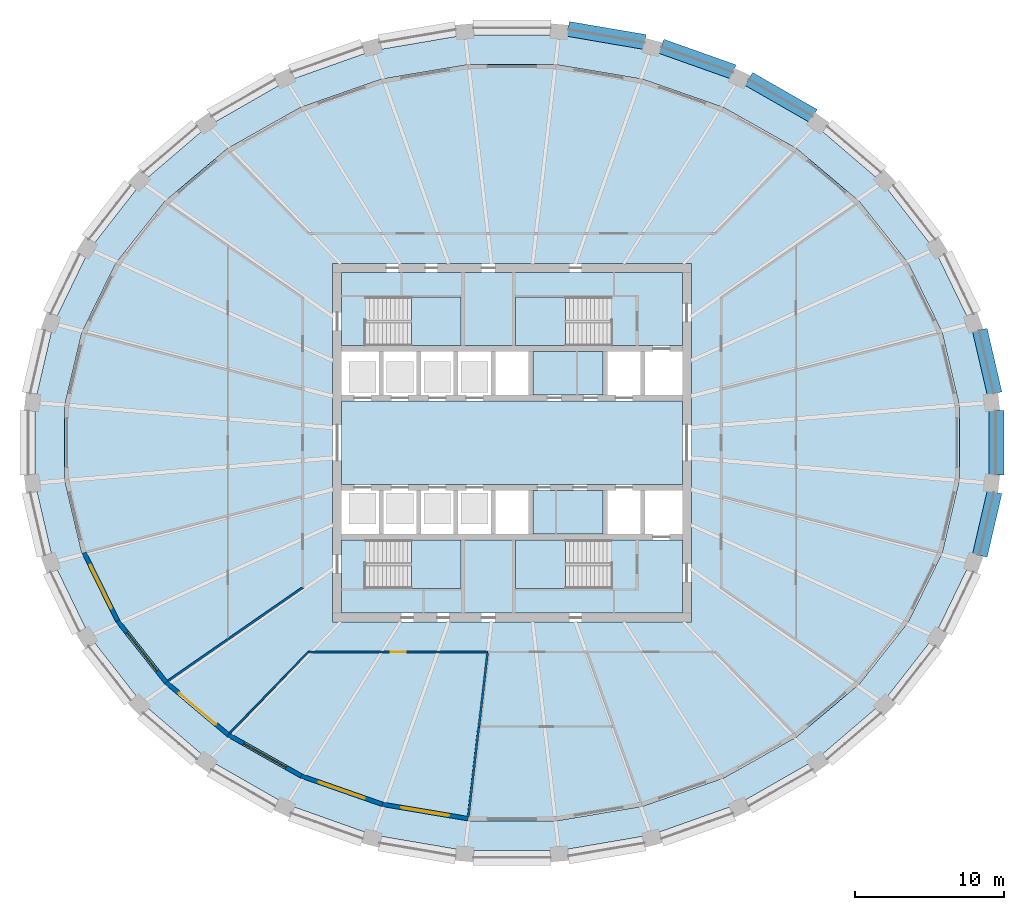
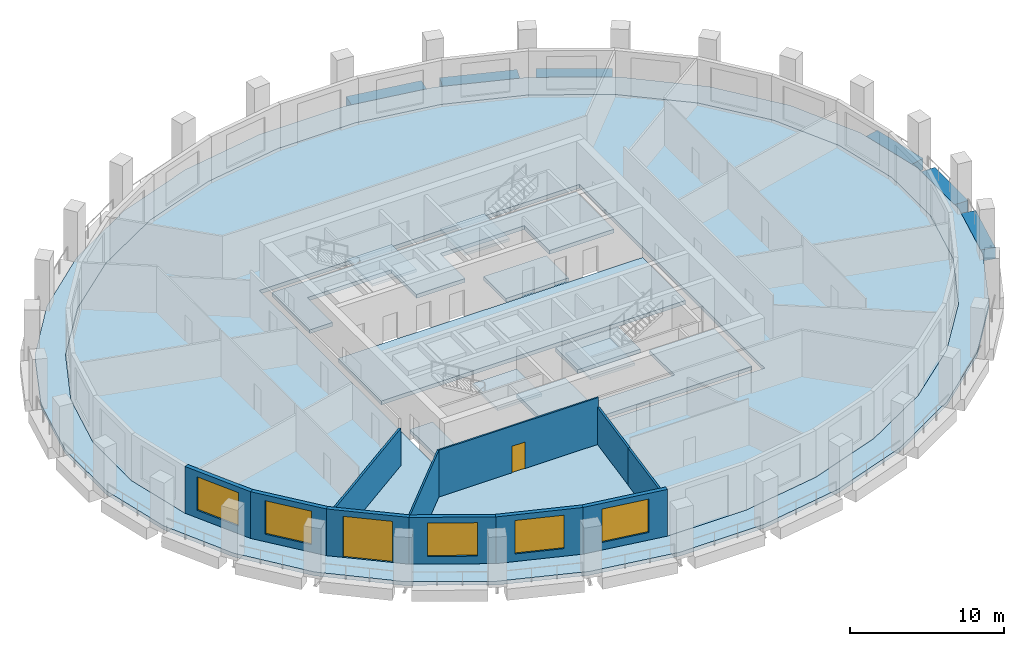
# One storey, part 2 of 10: 11 slabs, 11 walls, 6 beams, 5 windows, 2 doors, 7 openings, 4 elements without a shape of their own.
"""IFC4 building model written with IfcOpenShell, lengths in metres."""

from ifc_helpers import new_model, si_unit, direction, frame, frame_2d, origin, origin_2d, place, context, subcontext, project, spatial, polyline, rectangle, outline, extrude, material, layer, layer_set, material_profile, profile_set, type_object, element, fill, aggregate, save


model = new_model("IFC4")

# Units and contexts
model_context = context("Model", 3, precision=1e-05, world=origin(), true_north=direction((0.0, 1.0)))
body_context = subcontext(model_context, "Body", "Model", "MODEL_VIEW")
ifc_project = project(units=[si_unit("LENGTHUNIT", "METRE"), si_unit("AREAUNIT", "SQUARE_METRE"), si_unit("VOLUMEUNIT", "CUBIC_METRE"), si_unit("PLANEANGLEUNIT", "RADIAN"), si_unit("MASSUNIT", "GRAM", prefix="KILO")], contexts=[model_context])

# Site, building, storey
site_placement = place(None, origin())
site = spatial("IfcSite", under=ifc_project, at=site_placement, CompositionType="ELEMENT")
building_placement = place(site_placement, origin())
building = spatial("IfcBuilding", under=site, at=building_placement, Name="Halqa Exchange Tower", CompositionType="ELEMENT")
storey_placement = place(building_placement, frame((0.0, 0.0, 198.89990234375)))
storey = spatial("IfcBuildingStorey", under=building, at=storey_placement, Name="L45", CompositionType="ELEMENT", Elevation=198.89990234375)

# Beams
ifc_material_1 = material(Name="Concrete C60/75", Category="concrete")
ifc_material_profile = material_profile(ifc_material_1, rectangle(XDim=1.0, YDim=0.89990234375, at=origin_2d()), Name="1000 x 900")
ifc_profile_set = profile_set([ifc_material_profile], Name="Concrete C60/75")
beam_type = type_object("IfcBeamType", Name="RC spandrel beam 1000 x 900 C60/75", PredefinedType="SPANDREL", material=ifc_profile_set)
beam_1_placement = place(storey_placement, frame((32.291748046875, 3.298583984375, -0.449951171875), z_axis=(-0.226069928804, 0.974111075438, 0.0), x_axis=(-0.974111075438, -0.226069928804, 0.0)))
element("IfcBeam", 1, at=beam_1_placement, inside=storey, type_object=beam_type, Name="Spandrel 1", PredefinedType="SPANDREL", context=body_context, shape_type="SweptSolid", body=[
    extrude(rectangle(XDim=1.0, YDim=0.89990234375, at=origin_2d()), origin(), (0.0, 0.0, 1.0), 4.359619140625),
])
beam_2_placement = place(storey_placement, frame((20.16845703125, 21.872314453125, -0.449951171875), z_axis=(-0.867771135112, 0.496964040013, 0.0), x_axis=(-0.496964040013, -0.867771135112, 0.0)))
element("IfcBeam", 2, at=beam_2_placement, inside=storey, type_object=beam_type, Name="Spandrel 5", PredefinedType="SPANDREL", context=body_context, shape_type="SweptSolid", body=[
    extrude(rectangle(XDim=1.0, YDim=0.89990234375, at=origin_2d()), origin(), (0.0, 0.0, 1.0), 4.9697265625),
])
beam_3_placement = place(storey_placement, frame((14.817138671875, 24.8193359375, -0.449951171875), z_axis=(-0.942368993824, 0.334575371895, 0.0), x_axis=(-0.334575371895, -0.942368993824, 0.0)))
element("IfcBeam", 3, at=beam_3_placement, inside=storey, type_object=beam_type, Name="Spandrel 6", PredefinedType="SPANDREL", context=body_context, shape_type="SweptSolid", body=[
    extrude(rectangle(XDim=1.0, YDim=0.89990234375, at=origin_2d()), origin(), (0.0, 0.0, 1.0), 5.113037109375),
])
beam_4_placement = place(storey_placement, frame((8.891357421875, 26.81884765625, -0.449951171875), z_axis=(-0.98577756744, 0.168055310931, 0.0), x_axis=(-0.168055310931, -0.98577756744, 0.0)))
element("IfcBeam", 4, at=beam_4_placement, inside=storey, type_object=beam_type, Name="Spandrel 7", PredefinedType="SPANDREL", context=body_context, shape_type="SweptSolid", body=[
    extrude(rectangle(XDim=1.0, YDim=0.89990234375, at=origin_2d()), origin(), (0.0, 0.0, 1.0), 5.20654296875),
])
beam_5_placement = place(storey_placement, frame((31.30615234375, -7.54541015625, -0.449951171875), z_axis=(0.226069928804, 0.974111075438, 0.0), x_axis=(-0.974111075438, 0.226069928804, 0.0)))
element("IfcBeam", 5, at=beam_5_placement, inside=storey, type_object=beam_type, Name="Spandrel 31", PredefinedType="SPANDREL", context=body_context, shape_type="SweptSolid", body=[
    extrude(rectangle(XDim=1.0, YDim=0.89990234375, at=origin_2d()), origin(), (0.0, 0.0, 1.0), 4.359619140625),
])
beam_6_placement = place(storey_placement, frame((32.422119140625, -2.160400390625, -0.449951171875), z_axis=(0.0, 1.0, 0.0), x_axis=(-1.0, 0.0, 0.0)))
element("IfcBeam", 6, at=beam_6_placement, inside=storey, type_object=beam_type, Name="Spandrel 32", PredefinedType="SPANDREL", context=body_context, shape_type="SweptSolid", body=[
    extrude(rectangle(XDim=1.0, YDim=0.89990234375, at=origin_2d()), origin(), (0.0, 0.0, 1.0), 4.32080078125),
])

# Slabs
ifc_layer_1 = layer(ifc_material_1, 0.300048828125)
ifc_layer_set_1 = layer_set([ifc_layer_1], Name="Concrete C60/75")
slab_type_1 = type_object("IfcSlabType", Name="Core floor slab 300", PredefinedType="FLOOR", material=ifc_layer_set_1)
slab_1_placement = place(storey_placement, frame((0.0, 0.0, -0.2998046875)))
element("IfcSlab", 7, at=slab_1_placement, inside=storey, type_object=slab_type_1, Name="Core floor slab", PredefinedType="FLOOR", context=body_context, shape_type="SweptSolid", body=[
    extrude(outline(polyline([(-11.39990234375, 2.800048828125), (11.39990234375, 2.800048828125), (11.39990234375, -2.800048828125), (-11.39990234375, -2.800048828125), (-11.39990234375, 2.800048828125)])), origin(), (0.0, 0.0, 1.0), 0.2998046875),
])
slab_2_placement = place(storey_placement, frame((0.0, 0.0, -0.2998046875)))
element("IfcSlab", 8, at=slab_2_placement, inside=storey, type_object=slab_type_1, Name="Core floor slab", PredefinedType="FLOOR", context=body_context, shape_type="SweptSolid", body=[
    extrude(outline(polyline([(-11.39990234375, 11.39990234375), (11.39990234375, 11.39990234375), (11.39990234375, 6.5), (6.550048828125, 6.5), (6.550048828125, 9.75), (0.25, 9.75), (0.25, 6.5), (-3.39990234375, 6.5), (-3.39990234375, 9.75), (-9.699951171875, 9.75), (-9.699951171875, 6.5), (-11.39990234375, 6.5), (-11.39990234375, 11.39990234375)])), origin(), (0.0, 0.0, 1.0), 0.2998046875),
])
slab_3_placement = place(storey_placement, frame((0.0, 0.0, -0.2998046875)))
element("IfcSlab", 9, at=slab_3_placement, inside=storey, type_object=slab_type_1, Name="Core floor slab", PredefinedType="FLOOR", context=body_context, shape_type="SweptSolid", body=[
    extrude(outline(polyline([(-9.699951171875, -9.75), (-3.39990234375, -9.75), (-3.39990234375, -6.5), (0.25, -6.5), (0.25, -9.75), (6.550048828125, -9.75), (6.550048828125, -6.5), (11.39990234375, -6.5), (11.39990234375, -11.39990234375), (-11.39990234375, -11.39990234375), (-11.39990234375, -6.5), (-9.699951171875, -6.5), (-9.699951171875, -9.75)])), origin(), (0.0, 0.0, 1.0), 0.2998046875),
])
slab_4_placement = place(storey_placement, frame((0.0, 0.0, -0.2998046875)))
element("IfcSlab", 10, at=slab_4_placement, inside=storey, type_object=slab_type_1, Name="Core floor slab", PredefinedType="FLOOR", context=body_context, shape_type="SweptSolid", body=[
    extrude(outline(polyline([(6.10009765625, -3.199951171875), (6.10009765625, -6.10009765625), (1.39990234375, -6.10009765625), (1.39990234375, -3.199951171875), (6.10009765625, -3.199951171875)])), origin(), (0.0, 0.0, 1.0), 0.2998046875),
])
slab_5_placement = place(storey_placement, frame((0.0, 0.0, -0.2998046875)))
element("IfcSlab", 11, at=slab_5_placement, inside=storey, type_object=slab_type_1, Name="Core floor slab", PredefinedType="FLOOR", context=body_context, shape_type="SweptSolid", body=[
    extrude(outline(polyline([(6.10009765625, 6.10009765625), (6.10009765625, 3.199951171875), (1.39990234375, 3.199951171875), (1.39990234375, 6.10009765625), (6.10009765625, 6.10009765625)])), origin(), (0.0, 0.0, 1.0), 0.2998046875),
])
ifc_material_2 = material(Name="Concrete C40/50", Category="concrete")
ifc_layer_2 = layer(ifc_material_2, 0.300048828125)
ifc_layer_set_2 = layer_set([ifc_layer_2], Name="Concrete C40/50")
slab_type_2 = type_object("IfcSlabType", Name="RC floor slab 300", PredefinedType="FLOOR", material=ifc_layer_set_2)
slab_6_placement = place(storey_placement, frame((0.0, 0.0, -0.2998046875)))
element("IfcSlab", 12, at=slab_6_placement, inside=storey, type_object=slab_type_2, Name="Floor slab", PredefinedType="FLOOR", context=body_context, shape_type="SweptSolid", body=[
    extrude(outline(polyline([(29.935546875, 2.49755859375), (28.78076171875, 7.39501953125), (26.517578125, 12.0048828125), (23.23583984375, 16.14892578125), (19.0634765625, 19.669189453125), (14.161865234375, 22.4326171875), (8.71923828125, 24.33447265625), (2.94384765625, 25.3037109375), (-2.94384765625, 25.3037109375), (-8.71923828125, 24.33447265625), (-14.161865234375, 22.4326171875), (-19.0634765625, 19.669189453125), (-23.23583984375, 16.14892578125), (-26.517578125, 12.0048828125), (-28.78076171875, 7.39501953125), (-29.935546875, 2.49755859375), (-29.935546875, -2.49755859375), (-28.78076171875, -7.39501953125), (-26.517578125, -12.0048828125), (-23.23583984375, -16.14892578125), (-19.0634765625, -19.669189453125), (-14.161865234375, -22.4326171875), (-8.71923828125, -24.33447265625), (-2.94384765625, -25.3037109375), (2.94384765625, -25.3037109375), (8.71923828125, -24.33447265625), (14.161865234375, -22.4326171875), (19.0634765625, -19.669189453125), (23.23583984375, -16.14892578125), (26.517578125, -12.0048828125), (28.78076171875, -7.39501953125), (29.935546875, -2.49755859375), (29.935546875, 2.49755859375)]), holes=[polyline([(-12.0, -12.0), (12.0, -12.0), (12.0, 12.0), (-12.0, 12.0), (-12.0, -12.0)])]), origin(), (0.0, 0.0, 1.0), 0.2998046875),
])
ifc_layer_3 = layer(ifc_material_2, 0.300048828125)
ifc_layer_set_3 = layer_set([ifc_layer_3], Name="Concrete C40/50")
slab_type_3 = type_object("IfcSlabType", Name="RC loggia slab 300", PredefinedType="FLOOR", material=ifc_layer_set_3)
slab_7_placement = place(storey_placement, frame((0.0, 0.0, -0.2998046875)))
element("IfcSlab", 13, at=slab_7_placement, inside=storey, type_object=slab_type_3, Name="Loggia slab", PredefinedType="FLOOR", context=body_context, shape_type="SweptSolid", body=[
    extrude(outline(polyline([(31.922119140625, 2.6796875), (31.922119140625, -2.6796875), (30.70166015625, -7.938720703125), (28.304931640625, -12.898193359375), (24.8203125, -17.368408203125), (20.37841796875, -21.17578125), (15.14794921875, -24.17138671875), (9.33056640625, -26.23681640625), (3.15087890625, -27.290283203125), (-3.15087890625, -27.290283203125), (-9.33056640625, -26.23681640625), (-15.14794921875, -24.17138671875), (-20.37841796875, -21.17578125), (-24.8203125, -17.368408203125), (-28.304931640625, -12.898193359375), (-30.70166015625, -7.938720703125), (-31.922119140625, -2.6796875), (-31.922119140625, 2.6796875), (-30.70166015625, 7.938720703125), (-28.304931640625, 12.898193359375), (-24.8203125, 17.368408203125), (-20.37841796875, 21.17578125), (-15.14794921875, 24.17138671875), (-9.33056640625, 26.23681640625), (-3.15087890625, 27.290283203125), (3.15087890625, 27.290283203125), (9.33056640625, 26.23681640625), (15.14794921875, 24.17138671875), (20.37841796875, 21.17578125), (24.8203125, 17.368408203125), (28.304931640625, 12.898193359375), (30.70166015625, 7.938720703125), (31.922119140625, 2.6796875)]), holes=[polyline([(29.935546875, 2.49755859375), (28.78076171875, 7.39501953125), (26.517578125, 12.0048828125), (23.23583984375, 16.14892578125), (19.0634765625, 19.669189453125), (14.161865234375, 22.4326171875), (8.71923828125, 24.33447265625), (2.94384765625, 25.3037109375), (-2.94384765625, 25.3037109375), (-8.71923828125, 24.33447265625), (-14.161865234375, 22.4326171875), (-19.0634765625, 19.669189453125), (-23.23583984375, 16.14892578125), (-26.517578125, 12.0048828125), (-28.78076171875, 7.39501953125), (-29.935546875, 2.49755859375), (-29.935546875, -2.49755859375), (-28.78076171875, -7.39501953125), (-26.517578125, -12.0048828125), (-23.23583984375, -16.14892578125), (-19.0634765625, -19.669189453125), (-14.161865234375, -22.4326171875), (-8.71923828125, -24.33447265625), (-2.94384765625, -25.3037109375), (2.94384765625, -25.3037109375), (8.71923828125, -24.33447265625), (14.161865234375, -22.4326171875), (19.0634765625, -19.669189453125), (23.23583984375, -16.14892578125), (26.517578125, -12.0048828125), (28.78076171875, -7.39501953125), (29.935546875, -2.49755859375), (29.935546875, 2.49755859375)])]), origin(), (0.0, 0.0, 1.0), 0.2998046875),
])

# Stair, slab
ifc_material_3 = material(Name="Concrete C30/37", Category="concrete")
stair_type = type_object("IfcStairType", Name="Exit stair 1500 wide", PredefinedType="HALF_TURN_STAIR", material=ifc_material_3)
stair_1_placement = place(storey_placement, origin())
stair_1 = element("IfcStair", 14, at=stair_1_placement, inside=storey, type_object=stair_type, Name="Exit stair ST1", PredefinedType="HALF_TURN_STAIR")
ifc_layer_4 = layer(ifc_material_3, 0.199951171875)
ifc_layer_set_4 = layer_set([ifc_layer_4], Name="Concrete C30/37")
slab_type_4 = type_object("IfcSlabType", Name="Stair landing 200 slab", PredefinedType="LANDING", material=ifc_layer_set_4)
slab_8_placement = place(storey_placement, frame((0.0, 0.0, 1.800048828125)))
slab_8 = element("IfcSlab", 15, at=slab_8_placement, type_object=slab_type_4, Name="ST1 landing 1", PredefinedType="LANDING", context=body_context, shape_type="SweptSolid", body=[
    extrude(outline(polyline([(-6.719970703125, 6.5), (-3.39990234375, 6.5), (-3.39990234375, 9.75), (-6.719970703125, 9.75), (-6.719970703125, 6.5)])), origin(), (0.0, 0.0, 1.0), 0.199951171875),
])
aggregate(stair_1, [slab_8])

stair_2_placement = place(storey_placement, origin())
stair_2 = element("IfcStair", 16, at=stair_2_placement, inside=storey, type_object=stair_type, Name="Exit stair ST2", PredefinedType="HALF_TURN_STAIR")
slab_9_placement = place(storey_placement, frame((0.0, 0.0, 1.800048828125)))
slab_9 = element("IfcSlab", 17, at=slab_9_placement, type_object=slab_type_4, Name="ST2 landing 1", PredefinedType="LANDING", context=body_context, shape_type="SweptSolid", body=[
    extrude(outline(polyline([(0.25, 6.5), (3.570068359375, 6.5), (3.570068359375, 9.75), (0.25, 9.75), (0.25, 6.5)])), origin(), (0.0, 0.0, 1.0), 0.199951171875),
])
aggregate(stair_2, [slab_9])

stair_3_placement = place(storey_placement, origin())
stair_3 = element("IfcStair", 18, at=stair_3_placement, inside=storey, type_object=stair_type, Name="Exit stair ST3", PredefinedType="HALF_TURN_STAIR")
slab_10_placement = place(storey_placement, frame((0.0, 0.0, 1.800048828125)))
slab_10 = element("IfcSlab", 19, at=slab_10_placement, type_object=slab_type_4, Name="ST3 landing 1", PredefinedType="LANDING", context=body_context, shape_type="SweptSolid", body=[
    extrude(outline(polyline([(-6.719970703125, -9.75), (-3.39990234375, -9.75), (-3.39990234375, -6.5), (-6.719970703125, -6.5), (-6.719970703125, -9.75)])), origin(), (0.0, 0.0, 1.0), 0.199951171875),
])
aggregate(stair_3, [slab_10])

stair_4_placement = place(storey_placement, origin())
stair_4 = element("IfcStair", 20, at=stair_4_placement, inside=storey, type_object=stair_type, Name="Exit stair ST4", PredefinedType="HALF_TURN_STAIR")
slab_11_placement = place(storey_placement, frame((0.0, 0.0, 1.800048828125)))
slab_11 = element("IfcSlab", 21, at=slab_11_placement, type_object=slab_type_4, Name="ST4 landing 1", PredefinedType="LANDING", context=body_context, shape_type="SweptSolid", body=[
    extrude(outline(polyline([(0.25, -9.75), (3.570068359375, -9.75), (3.570068359375, -6.5), (0.25, -6.5), (0.25, -9.75)])), origin(), (0.0, 0.0, 1.0), 0.199951171875),
])
aggregate(stair_4, [slab_11])

# Walls
ifc_material_4 = material(Name="Fire-rated gypsum board")
ifc_layer_5 = layer(ifc_material_4, 0.14990234375)
ifc_layer_set_5 = layer_set([ifc_layer_5], Name="Fire-rated gypsum board")
wall_type_1 = type_object("IfcWallType", Name="Fire partition EI 60 150", PredefinedType="PARTITIONING", material=ifc_layer_set_5)
wall_1_placement = place(storey_placement, frame((-23.0244140625, -15.939697265625, 0.0), z_axis=(0.0, 0.0, 1.0), x_axis=(0.822097241007, 0.569347105313, 0.0)))
element("IfcWall", 22, at=wall_1_placement, inside=storey, type_object=wall_type_1, Name="L45-PWL-003", PredefinedType="PARTITIONING", context=body_context, shape_type="SweptSolid", body=[
    extrude(outline(polyline([(0.024169921875, -0.074951171875), (1.856201171875, -0.074951171875), (3.688232421875, -0.074951171875), (5.520263671875, -0.074951171875), (7.352294921875, -0.074951171875), (9.184326171875, -0.074951171875), (11.016357421875, -0.074951171875), (10.977294921875, -0.000244140625), (10.937744140625, 0.074951171875), (8.961181640625, 0.074951171875), (6.984619140625, 0.074951171875), (5.008056640625, 0.074951171875), (5.006103515625, 0.072265625), (5.00244140625, 0.074951171875), (3.3349609375, 0.074951171875), (1.66748046875, 0.074951171875), (0.0, 0.074951171875), (0.0, 0.068359375), (0.004638671875, -0.002197265625), (0.024169921875, -0.074951171875)])), origin(), (0.0, 0.0, 1.0), 2.947021484375),
])
wall_2_placement = place(storey_placement, frame((-2.915283203125, -25.000244140625, 0.0), z_axis=(0.0, 0.0, 1.0), x_axis=(0.115112831027, 0.993352422926, 0.0)))
element("IfcWall", 23, at=wall_2_placement, inside=storey, type_object=wall_type_1, Name="L45-PWL-014", PredefinedType="PARTITIONING", context=body_context, shape_type="SweptSolid", body=[
    extrude(outline(polyline([(0.0, 0.074951171875), (0.0, -0.031005859375), (0.005126953125, -0.074951171875), (2.00048828125, -0.074951171875), (3.99609375, -0.074951171875), (5.991455078125, -0.074951171875), (5.991455078125, 0.074951171875), (3.994384765625, 0.074951171875), (1.9970703125, 0.074951171875), (0.0, 0.074951171875)])), origin(), (0.0, 0.0, 1.0), 2.947021484375),
])
wall_3_placement = place(storey_placement, frame((-2.2158203125, -19.0498046875, 0.0), z_axis=(0.0, 0.0, 1.0), x_axis=(0.11524289965, 0.993337341531, 0.0)))
element("IfcWall", 24, at=wall_3_placement, inside=storey, type_object=wall_type_1, Name="L45-PWL-015", PredefinedType="PARTITIONING", context=body_context, shape_type="SweptSolid", body=[
    extrude(outline(polyline([(0.0, -0.074951171875), (0.0986328125, -0.074951171875), (0.109130859375, -0.07373046875), (0.109130859375, -0.074951171875), (1.744873046875, -0.074951171875), (3.380859375, -0.074951171875), (5.0166015625, -0.074951171875), (5.0166015625, -0.07275390625), (5.00927734375, -0.008544921875), (5.0166015625, -0.0078125), (5.0166015625, 0.0576171875), (5.0146484375, 0.074951171875), (3.343017578125, 0.074951171875), (1.671630859375, 0.074951171875), (0.000244140625, 0.074951171875), (0.0, -0.065185546875), (0.0, -0.065185546875), (0.0, -0.074951171875)])), origin(), (0.0, 0.0, 1.0), 2.947021484375),
])

# Wall, opening, door
ifc_material_5 = material(Name="Fire-rated glazing", Category="glass")
ifc_layer_6 = layer(ifc_material_5, 0.1201171875)
ifc_layer_set_6 = layer_set([ifc_layer_6], Name="Fire-rated glazing")
wall_type_2 = type_object("IfcWallType", Name="Glazed fire partition EI 60 120", PredefinedType="PARTITIONING", material=ifc_layer_set_6)
wall_4_placement = place(storey_placement, frame((-13.6455078125, -14.0, 0.0), z_axis=(0.0, 0.0, 1.0), x_axis=(1.0, 0.0, 0.0)))
wall_4 = element("IfcWall", 25, at=wall_4_placement, inside=storey, type_object=wall_type_2, Name="L45-PWL-010", PredefinedType="PARTITIONING", context=body_context, shape_type="SweptSolid", body=[
    extrude(outline(polyline([(12.015625, 0.06005859375), (10.299072265625, 0.06005859375), (8.58251953125, 0.06005859375), (6.8662109375, 0.06005859375), (5.149658203125, 0.06005859375), (3.43310546875, 0.06005859375), (1.716552734375, 0.06005859375), (0.000244140625, 0.06005859375), (0.05078125, -0.06005859375), (2.044921875, -0.06005859375), (4.0390625, -0.06005859375), (6.033203125, -0.06005859375), (8.02734375, -0.06005859375), (10.021484375, -0.06005859375), (12.015625, -0.06005859375), (12.015625, 0.06005859375)])), origin(), (0.0, 0.0, 1.0), 3.7001953125),
])
opening_1_placement = place(wall_4_placement, frame((5.5205078125, 0.0, 0.0)))
opening_1 = element("IfcOpeningElement", 26, at=opening_1_placement, cuts=wall_4, Name="Opening 13-06", PredefinedType="OPENING", context=body_context, shape_type="SweptSolid", body=[
    extrude(rectangle(XDim=1.0, YDim=2.10009765625, at=frame_2d((0.5, 1.050048828125))), frame((0.0, 0.072021484375, 0.0), z_axis=(0.0, -1.0, 0.0), x_axis=(1.0, 0.0, 0.0)), (0.0, 0.0, 1.0), 0.14404296875),
])
ifc_material_6 = material(Name="Steel fire door leaf", Category="steel")
door_type_1 = type_object("IfcDoorType", Name="Fire door FD30S 1000 x 2100", OperationType="SINGLE_SWING_LEFT", PredefinedType="DOOR", material=ifc_material_6)
door_1_placement = place(opening_1_placement, frame((1.0, 0.0, 0.0), z_axis=(0.0, 0.0, 1.0), x_axis=(-1.0, 0.0, 0.0)))
door_1 = element("IfcDoor", 27, at=door_1_placement, inside=storey, type_object=door_type_1, Name="L45-IDR-006", OperationType="SINGLE_SWING_RIGHT", OverallHeight=2.10009765625, OverallWidth=1.0, PredefinedType="DOOR", context=body_context, shape_type="SweptSolid", body=[
    extrude(rectangle(XDim=1.0, YDim=2.10009765625, at=frame_2d((0.5, 1.050048828125))), frame((0.0, 0.02490234375, 0.0), z_axis=(0.0, -1.0, 0.0), x_axis=(1.0, 0.0, 0.0)), (0.0, 0.0, 1.0), 0.050048828125),
])
fill(opening_1, door_1)

# Wall
wall_5_placement = place(storey_placement, frame((-13.602294921875, -13.981689453125, 0.0), z_axis=(0.0, 0.0, 1.0), x_axis=(-0.69685470262, -0.717212328001, 0.0)))
element("IfcWall", 28, at=wall_5_placement, inside=storey, type_object=wall_type_2, Name="L45-PWL-013", PredefinedType="PARTITIONING", context=body_context, shape_type="SweptSolid", body=[
    extrude(outline(polyline([(7.59130859375, -0.06005859375), (7.59130859375, -0.05810546875), (7.58740234375, -0.002685546875), (7.57080078125, 0.06005859375), (5.69091796875, 0.06005859375), (3.810791015625, 0.06005859375), (1.930908203125, 0.06005859375), (0.05078125, 0.06005859375), (0.025390625, 0.0), (0.000244140625, -0.06005859375), (0.0, -0.06005859375), (0.0, -0.06005859375), (1.89794921875, -0.06005859375), (3.795654296875, -0.06005859375), (5.693603515625, -0.06005859375), (7.59130859375, -0.06005859375)])), origin(), (0.0, 0.0, 1.0), 3.7001953125),
])

# Wall, opening, window
ifc_material_7 = material(Name="Limestone cladding", Category="masonry")
ifc_layer_7 = layer(ifc_material_7, 0.0400390625)
ifc_material_8 = material(Name="Ventilated cavity")
ifc_layer_8 = layer(ifc_material_8, 0.030029296875, ventilated=True)
ifc_material_9 = material(Name="Mineral wool insulation")
ifc_layer_9 = layer(ifc_material_9, 0.10009765625)
ifc_layer_10 = layer(ifc_material_3, 0.10009765625)
ifc_material_10 = material(Name="Internal plaster")
ifc_layer_11 = layer(ifc_material_10, 0.030029296875)
ifc_layer_set_7 = layer_set([ifc_layer_7, ifc_layer_8, ifc_layer_9, ifc_layer_10, ifc_layer_11], Name="Stone-faced insulated wall 300")
wall_type_3 = type_object("IfcWallType", Name="Stone-faced insulated wall 300", PredefinedType="STANDARD", material=ifc_layer_set_7)
wall_6_placement = place(storey_placement, frame((-28.638671875, -7.34423828125, 0.0), z_axis=(0.0, 0.0, 1.0), x_axis=(0.440694221881, -0.897657285829, 0.0)))
wall_6 = element("IfcWall", 29, at=wall_6_placement, inside=storey, type_object=wall_type_3, Name="Glass-line wall 18", PredefinedType="STANDARD", context=body_context, shape_type="SweptSolid", body=[
    extrude(outline(polyline([(-0.016845703125, -0.14990234375), (5.118408203125, -0.14990234375), (5.086181640625, 0.14990234375), (0.016845703125, 0.14990234375), (-0.016845703125, -0.14990234375)])), origin(), (0.0, 0.0, 1.0), 3.7001953125),
])
opening_2_placement = place(wall_6_placement, frame((0.926025390625, 0.0, 0.60009765625)))
opening_2 = element("IfcOpeningElement", 30, at=opening_2_placement, cuts=wall_6, Name="Opening W-F3-18", PredefinedType="OPENING", context=body_context, shape_type="SweptSolid", body=[
    extrude(rectangle(XDim=3.25, YDim=2.64990234375, at=frame_2d((1.625, 1.324951171875))), frame((0.0, 0.162109375, 0.0), z_axis=(0.0, -1.0, 0.0), x_axis=(1.0, 0.0, 0.0)), (0.0, 0.0, 1.0), 0.323974609375),
])
ifc_material_11 = material(Name="Clear low-emissivity glass in aluminium frame", Category="aluminium")
window_type = type_object("IfcWindowType", Name="Fixed clear glazed window 3250 x 2650", PartitioningType="TRIPLE_PANEL_VERTICAL", PredefinedType="WINDOW", material=ifc_material_11)
window_1_placement = place(opening_2_placement, origin())
window_1 = element("IfcWindow", 31, at=window_1_placement, inside=storey, type_object=window_type, Name="Window 3", OverallHeight=2.64990234375, OverallWidth=3.25, PartitioningType="TRIPLE_PANEL_VERTICAL", PredefinedType="WINDOW", context=body_context, shape_type="SweptSolid", body=[
    extrude(rectangle(XDim=3.25, YDim=2.64990234375, at=frame_2d((1.625, 1.324951171875))), frame((0.0, 0.030029296875, 0.0), z_axis=(0.0, -1.0, 0.0), x_axis=(1.0, 0.0, 0.0)), (0.0, 0.0, 1.0), 0.06005859375),
])
fill(opening_2, window_1)

wall_7_placement = place(storey_placement, frame((-26.39013671875, -11.92431640625, 0.0), z_axis=(0.0, 0.0, 1.0), x_axis=(0.620829074232, -0.783945955145, 0.0)))
wall_7 = element("IfcWall", 32, at=wall_7_placement, inside=storey, type_object=wall_type_3, Name="Glass-line wall 19", PredefinedType="STANDARD", context=body_context, shape_type="SweptSolid", body=[
    extrude(outline(polyline([(-0.01611328125, -0.14990234375), (5.27001953125, -0.14990234375), (5.23974609375, 0.14990234375), (0.01611328125, 0.14990234375), (-0.01611328125, -0.14990234375)])), origin(), (0.0, 0.0, 1.0), 3.7001953125),
])
opening_3_placement = place(wall_7_placement, frame((1.002685546875, 0.0, 0.60009765625)))
opening_3 = element("IfcOpeningElement", 33, at=opening_3_placement, cuts=wall_7, Name="Opening W-F3-19", PredefinedType="OPENING", context=body_context, shape_type="SweptSolid", body=[
    extrude(rectangle(XDim=3.25, YDim=2.64990234375, at=frame_2d((1.625, 1.324951171875))), frame((0.0, 0.162109375, 0.0), z_axis=(0.0, -1.0, 0.0), x_axis=(1.0, 0.0, 0.0)), (0.0, 0.0, 1.0), 0.323974609375),
])
window_2_placement = place(opening_3_placement, origin())
window_2 = element("IfcWindow", 34, at=window_2_placement, inside=storey, type_object=window_type, Name="Window 3", OverallHeight=2.64990234375, OverallWidth=3.25, PartitioningType="TRIPLE_PANEL_VERTICAL", PredefinedType="WINDOW", context=body_context, shape_type="SweptSolid", body=[
    extrude(rectangle(XDim=3.25, YDim=2.64990234375, at=frame_2d((1.625, 1.324951171875))), frame((0.0, 0.030029296875, 0.0), z_axis=(0.0, -1.0, 0.0), x_axis=(1.0, 0.0, 0.0)), (0.0, 0.0, 1.0), 0.06005859375),
])
fill(opening_3, window_2)

# Wall, opening, door
wall_8_placement = place(storey_placement, frame((-23.127685546875, -16.0439453125, 0.0), z_axis=(0.0, 0.0, 1.0), x_axis=(0.764330261608, -0.644824977176, 0.0)))
wall_8 = element("IfcWall", 35, at=wall_8_placement, inside=storey, type_object=wall_type_3, Name="Glass-line wall 20", PredefinedType="STANDARD", context=body_context, shape_type="SweptSolid", body=[
    extrude(outline(polyline([(-0.01513671875, -0.14990234375), (5.4443359375, -0.14990234375), (5.416015625, 0.14990234375), (0.01513671875, 0.14990234375), (-0.01513671875, -0.14990234375)])), origin(), (0.0, 0.0, 1.0), 3.7001953125),
])
opening_4_placement = place(wall_8_placement, frame((1.090087890625, 0.0, 0.0)))
opening_4 = element("IfcOpeningElement", 36, at=opening_4_placement, cuts=wall_8, Name="Opening LG-F3-05", PredefinedType="OPENING", context=body_context, shape_type="SweptSolid", body=[
    extrude(rectangle(XDim=3.25, YDim=3.25, at=frame_2d((1.625, 1.625))), frame((0.0, 0.162109375, 0.0), z_axis=(0.0, -1.0, 0.0), x_axis=(1.0, 0.0, 0.0)), (0.0, 0.0, 1.0), 0.323974609375),
])
door_type_2 = type_object("IfcDoorType", Name="Glazed sliding loggia door 3250 x 3250", OperationType="DOUBLE_DOOR_SLIDING", PredefinedType="DOOR", material=ifc_material_11)
door_2_placement = place(opening_4_placement, origin())
door_2 = element("IfcDoor", 37, at=door_2_placement, inside=storey, type_object=door_type_2, Name="Loggia door 5", OperationType="DOUBLE_DOOR_SLIDING", OverallHeight=3.25, OverallWidth=3.25, PredefinedType="DOOR", context=body_context, shape_type="SweptSolid", body=[
    extrude(rectangle(XDim=3.25, YDim=3.25, at=frame_2d((1.625, 1.625))), frame((0.0, 0.02490234375, 0.0), z_axis=(0.0, -1.0, 0.0), x_axis=(1.0, 0.0, 0.0)), (0.0, 0.0, 1.0), 0.050048828125),
])
fill(opening_4, door_2)

# Wall, opening, window
wall_9_placement = place(storey_placement, frame((-18.977294921875, -19.54541015625, 0.0), z_axis=(0.0, 0.0, 1.0), x_axis=(0.871083701819, -0.491134588912, 0.0)))
wall_9 = element("IfcWall", 38, at=wall_9_placement, inside=storey, type_object=wall_type_3, Name="Glass-line wall 21", PredefinedType="STANDARD", context=body_context, shape_type="SweptSolid", body=[
    extrude(outline(polyline([(-0.01416015625, -0.14990234375), (5.61279296875, -0.14990234375), (5.5859375, 0.14990234375), (0.01416015625, 0.14990234375), (-0.01416015625, -0.14990234375)])), origin(), (0.0, 0.0, 1.0), 3.7001953125),
])
opening_5_placement = place(wall_9_placement, frame((1.1748046875, 0.0, 0.60009765625)))
opening_5 = element("IfcOpeningElement", 39, at=opening_5_placement, cuts=wall_9, Name="Opening W-F3-21", PredefinedType="OPENING", context=body_context, shape_type="SweptSolid", body=[
    extrude(rectangle(XDim=3.25, YDim=2.64990234375, at=frame_2d((1.625, 1.324951171875))), frame((0.0, 0.162109375, 0.0), z_axis=(0.0, -1.0, 0.0), x_axis=(1.0, 0.0, 0.0)), (0.0, 0.0, 1.0), 0.323974609375),
])
window_3_placement = place(opening_5_placement, origin())
window_3 = element("IfcWindow", 40, at=window_3_placement, inside=storey, type_object=window_type, Name="Window 3", OverallHeight=2.64990234375, OverallWidth=3.25, PartitioningType="TRIPLE_PANEL_VERTICAL", PredefinedType="WINDOW", context=body_context, shape_type="SweptSolid", body=[
    extrude(rectangle(XDim=3.25, YDim=2.64990234375, at=frame_2d((1.625, 1.324951171875))), frame((0.0, 0.030029296875, 0.0), z_axis=(0.0, -1.0, 0.0), x_axis=(1.0, 0.0, 0.0)), (0.0, 0.0, 1.0), 0.06005859375),
])
fill(opening_5, window_3)

wall_10_placement = place(storey_placement, frame((-14.099853515625, -22.29541015625, 0.0), z_axis=(0.0, 0.0, 1.0), x_axis=(0.944020060936, -0.329888048511, 0.0)))
wall_10 = element("IfcWall", 41, at=wall_10_placement, inside=storey, type_object=wall_type_3, Name="Glass-line wall 22", PredefinedType="STANDARD", context=body_context, shape_type="SweptSolid", body=[
    extrude(outline(polyline([(-0.013427734375, -0.14990234375), (5.751953125, -0.14990234375), (5.7265625, 0.14990234375), (0.013427734375, 0.14990234375), (-0.013427734375, -0.14990234375)])), origin(), (0.0, 0.0, 1.0), 3.7001953125),
])
opening_6_placement = place(wall_10_placement, frame((1.24462890625, 0.0, 0.60009765625)))
opening_6 = element("IfcOpeningElement", 42, at=opening_6_placement, cuts=wall_10, Name="Opening W-F3-22", PredefinedType="OPENING", context=body_context, shape_type="SweptSolid", body=[
    extrude(rectangle(XDim=3.25, YDim=2.64990234375, at=frame_2d((1.625, 1.324951171875))), frame((0.0, 0.162109375, 0.0), z_axis=(0.0, -1.0, 0.0), x_axis=(1.0, 0.0, 0.0)), (0.0, 0.0, 1.0), 0.323974609375),
])
window_4_placement = place(opening_6_placement, origin())
window_4 = element("IfcWindow", 43, at=window_4_placement, inside=storey, type_object=window_type, Name="Window 3", OverallHeight=2.64990234375, OverallWidth=3.25, PartitioningType="TRIPLE_PANEL_VERTICAL", PredefinedType="WINDOW", context=body_context, shape_type="SweptSolid", body=[
    extrude(rectangle(XDim=3.25, YDim=2.64990234375, at=frame_2d((1.625, 1.324951171875))), frame((0.0, 0.030029296875, 0.0), z_axis=(0.0, -1.0, 0.0), x_axis=(1.0, 0.0, 0.0)), (0.0, 0.0, 1.0), 0.06005859375),
])
fill(opening_6, window_4)

wall_11_placement = place(storey_placement, frame((-8.681884765625, -24.188720703125, 0.0), z_axis=(0.0, 0.0, 1.0), x_axis=(0.986207709048, -0.165512400181, 0.0)))
wall_11 = element("IfcWall", 44, at=wall_11_placement, inside=storey, type_object=wall_type_3, Name="Glass-line wall 23", PredefinedType="STANDARD", context=body_context, shape_type="SweptSolid", body=[
    extrude(outline(polyline([(-0.0126953125, -0.14990234375), (5.84326171875, -0.14990234375), (5.818359375, 0.14990234375), (0.0126953125, 0.14990234375), (-0.0126953125, -0.14990234375)])), origin(), (0.0, 0.0, 1.0), 3.7001953125),
])
opening_7_placement = place(wall_11_placement, frame((1.29052734375, 0.0, 0.60009765625)))
opening_7 = element("IfcOpeningElement", 45, at=opening_7_placement, cuts=wall_11, Name="Opening W-F3-23", PredefinedType="OPENING", context=body_context, shape_type="SweptSolid", body=[
    extrude(rectangle(XDim=3.25, YDim=2.64990234375, at=frame_2d((1.625, 1.324951171875))), frame((0.0, 0.162109375, 0.0), z_axis=(0.0, -1.0, 0.0), x_axis=(1.0, 0.0, 0.0)), (0.0, 0.0, 1.0), 0.323974609375),
])
window_5_placement = place(opening_7_placement, origin())
window_5 = element("IfcWindow", 46, at=window_5_placement, inside=storey, type_object=window_type, Name="Window 3", OverallHeight=2.64990234375, OverallWidth=3.25, PartitioningType="TRIPLE_PANEL_VERTICAL", PredefinedType="WINDOW", context=body_context, shape_type="SweptSolid", body=[
    extrude(rectangle(XDim=3.25, YDim=2.64990234375, at=frame_2d((1.625, 1.324951171875))), frame((0.0, 0.030029296875, 0.0), z_axis=(0.0, -1.0, 0.0), x_axis=(1.0, 0.0, 0.0)), (0.0, 0.0, 1.0), 0.06005859375),
])
fill(opening_7, window_5)

save(model, "model.ifc")
